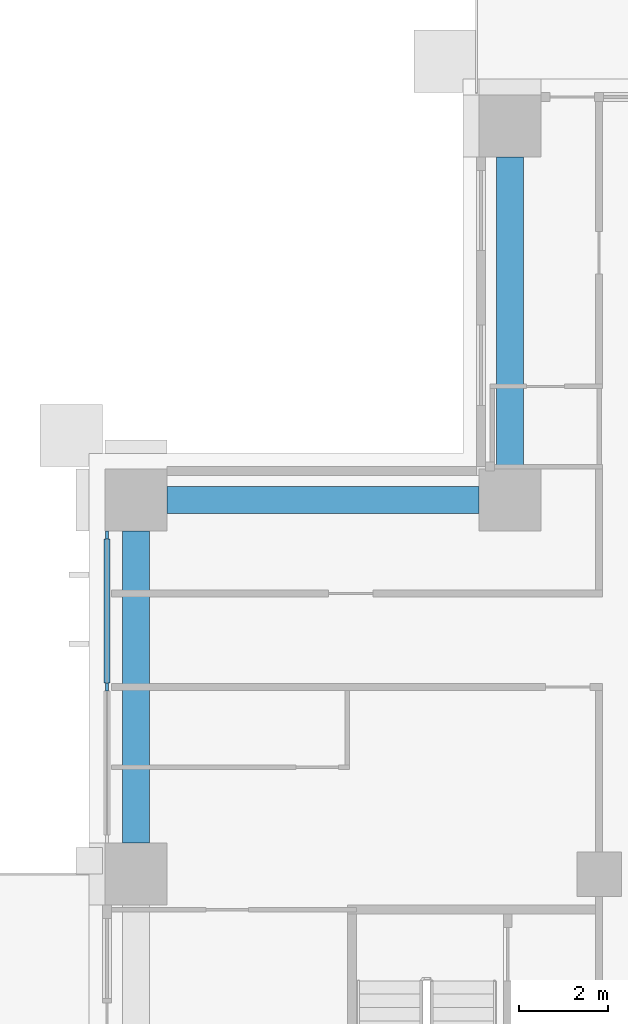
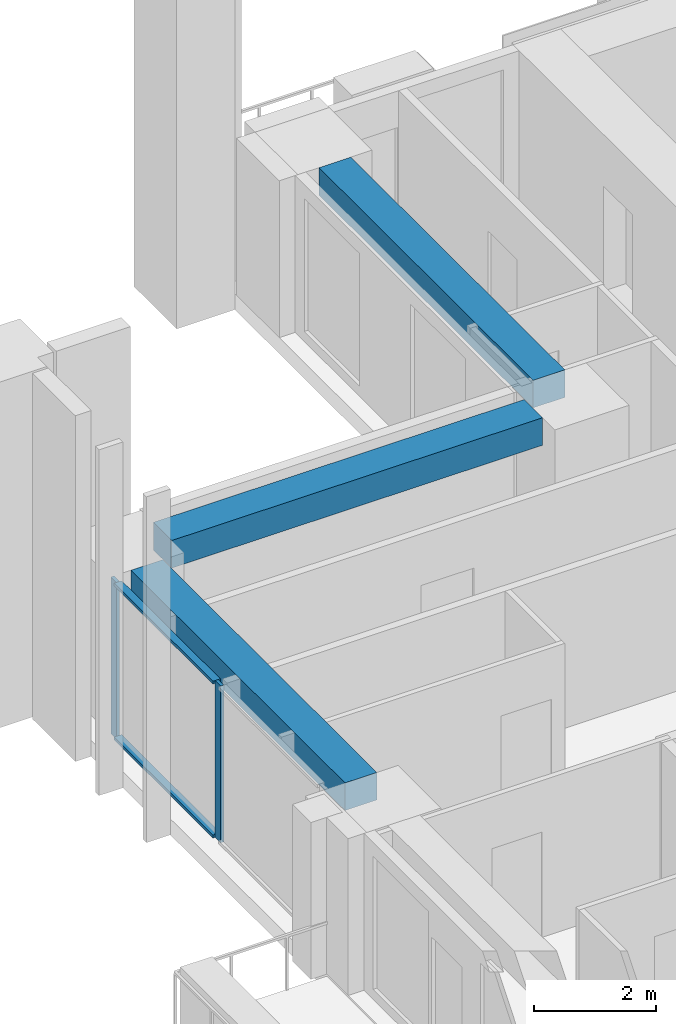
# One storey, part 5 of 19: 4 members, 3 beams, 1 element without a shape of its own.
"""IFC4 building model written with IfcOpenShell, lengths in metres."""

import ifcopenshell
import ifcopenshell.guid

model = None  # the IFC model being written
_history = None  # IfcOwnerHistory: only IFC2X3 demands one
_inside = {}  # id of a spatial element -> (the spatial element, [elements in it])
_under = {}  # id of a project, library or spatial element -> (it, [spatial elements below it])
_declared = {}  # id of a project -> (the project, [libraries it declares])
_typed = {}  # id of a type object -> (the type object, [elements of that type])
_made_of = {}  # id of a material, layer set ... -> (it, [elements and type objects made of it])


def new_model(schema):
    """Start an empty IFC model of exactly this schema.

    Asked for "IFC4X3", IfcOpenShell would pick the latest addendum, in which some entities
    have other attributes; the version numbers below select the first issue.
    IFC2X3 requires an IfcOwnerHistory on every rooted entity: one is made here for all.
    """
    global model, _history
    if schema == "IFC4X3":
        model = ifcopenshell.file(schema_version=(4, 3, 0, 0))
    else:
        model = ifcopenshell.file(schema=schema)
    _inside.clear()
    _under.clear()
    _declared.clear()
    _typed.clear()
    _made_of.clear()
    _history = None
    if model.schema == "IFC2X3":
        org = make("IfcOrganization", Name="unknown")
        user = make(
            "IfcPersonAndOrganization",
            ThePerson=make("IfcPerson", FamilyName="unknown"),
            TheOrganization=org,
        )
        app = make(
            "IfcApplication",
            ApplicationDeveloper=org,
            Version="unknown",
            ApplicationFullName="unknown",
            ApplicationIdentifier="unknown",
        )
        _history = make(
            "IfcOwnerHistory",
            OwningUser=user,
            OwningApplication=app,
            ChangeAction="ADDED",
            CreationDate=0,
        )
    return model


def make(cls, **values):
    """One entity of the class cls with the attributes given. An attribute that is None is left unset."""
    return model.create_entity(
        cls, **{name: value for name, value in values.items() if value is not None}
    )


def rooted(cls, **values):
    """An entity with a GlobalId (a new one), such as an element, a storey or a relation."""
    return make(cls, GlobalId=ifcopenshell.guid.new(), OwnerHistory=_history, **values)


def si_unit(unit_type, name, prefix=None):
    """IfcSIUnit, for example si_unit("LENGTHUNIT", "METRE", prefix="MILLI")."""
    return make("IfcSIUnit", UnitType=unit_type, Prefix=prefix, Name=name)


def assignment(units):
    """IfcUnitAssignment: the units of a project."""
    return None if units is None else make("IfcUnitAssignment", Units=units)


def point(xyz):
    """IfcCartesianPoint."""
    return None if xyz is None else make("IfcCartesianPoint", Coordinates=xyz)


def direction(xyz):
    """IfcDirection."""
    return None if xyz is None else make("IfcDirection", DirectionRatios=xyz)


def frame(location, z_axis=None, x_axis=None):
    """IfcAxis2Placement3D, a coordinate frame: its origin and axes. An axis left out is left unset."""
    return make(
        "IfcAxis2Placement3D",
        Location=point(location),
        Axis=direction(z_axis),
        RefDirection=direction(x_axis),
    )


def frame_2d(location, x_axis=None):
    """IfcAxis2Placement2D, a coordinate frame in the plane: its origin and x axis."""
    return make(
        "IfcAxis2Placement2D", Location=point(location), RefDirection=direction(x_axis)
    )


def origin():
    """The frame at (0, 0, 0) with its axes left unset."""
    return frame((0.0, 0.0, 0.0))


def origin_2d():
    """The frame at (0, 0) in the plane with its x axis left unset."""
    return frame_2d((0.0, 0.0))


def place(relative_to, where):
    """IfcLocalPlacement: puts the frame where relative to a parent placement (None: the world)."""
    return make(
        "IfcLocalPlacement", PlacementRelTo=relative_to, RelativePlacement=where
    )


def context(
    kind, dimensions, precision=None, world=None, true_north=None, identifier=None
):
    """IfcGeometricRepresentationContext, for example the 3D "Model" context."""
    return make(
        "IfcGeometricRepresentationContext",
        ContextIdentifier=identifier,
        ContextType=kind,
        CoordinateSpaceDimension=dimensions,
        Precision=precision,
        WorldCoordinateSystem=world,
        TrueNorth=true_north,
    )


def subcontext(parent, identifier, kind, view, scale=None):
    """IfcGeometricRepresentationSubContext, for example "Body" below "Model"."""
    return make(
        "IfcGeometricRepresentationSubContext",
        ContextIdentifier=identifier,
        ContextType=kind,
        ParentContext=parent,
        TargetScale=scale,
        TargetView=view,
    )


def project(units=None, contexts=None):
    """IfcProject with its units and contexts."""
    return rooted(
        "IfcProject",
        Name="project",
        RepresentationContexts=contexts,
        UnitsInContext=assignment(units),
    )


def spatial(cls, under=None, at=None, **own):
    """A site, building, storey or space (cls), placed at a placement, below another one or the project."""
    s = rooted(cls, ObjectPlacement=at, **own)
    if under is not None:
        _under.setdefault(under.id(), (under, []))[1].append(s)
    return s


def profile(cls, at=None, kind="AREA", **sizes):
    """A parametric profile (cls). Its sizes go by their IFC names, for example OverallWidth=200.0."""
    return make(cls, ProfileType=kind, Position=at, **sizes)


def rectangle(**sizes):
    """IfcRectangleProfileDef."""
    return profile("IfcRectangleProfileDef", **sizes)


def extrude(swept, where, along, depth):
    """IfcExtrudedAreaSolid: the profile swept, set in the frame where, extruded along a direction by depth."""
    return make(
        "IfcExtrudedAreaSolid",
        SweptArea=swept,
        Position=where,
        ExtrudedDirection=direction(along),
        Depth=depth,
    )


def shape(context_of_items, identifier, shape_type, items):
    """IfcShapeRepresentation: the items that make up one representation, for example the "Body"."""
    return make(
        "IfcShapeRepresentation",
        ContextOfItems=context_of_items,
        RepresentationIdentifier=identifier,
        RepresentationType=shape_type,
        Items=items,
    )


def material(Name=None, Category=None):
    """IfcMaterial."""
    return make("IfcMaterial", Name=Name, Category=Category)


def material_profile(
    of_material, cross_section, Name=None, Category=None, Priority=None
):
    """IfcMaterialProfile: a cross section and its material."""
    return make(
        "IfcMaterialProfile",
        Name=Name,
        Material=of_material,
        Profile=cross_section,
        Priority=Priority,
        Category=Category,
    )


def profile_set(profiles, Name=None, composite=None):
    """IfcMaterialProfileSet."""
    return make(
        "IfcMaterialProfileSet",
        Name=Name,
        MaterialProfiles=profiles,
        CompositeProfile=composite,
    )


def made_of(thing, what):
    """Note that an element or type object is made of a material, layer set ...; save() writes the relation."""
    if what is not None:
        _made_of.setdefault(what.id(), (what, []))[1].append(thing)
    return thing


def type_object(cls, material=None, **own):
    """A type object (cls), such as IfcWallType, which elements share."""
    return made_of(rooted(cls, **own), material)


def element(
    cls,
    number,
    at=None,
    inside=None,
    cuts=None,
    type_object=None,
    material=None,
    context=None,
    identifier="Body",
    shape_type=None,
    held_by="IfcProductDefinitionShape",
    body=None,
    shapes=None,
    **own,
):
    """One element of the class cls, such as IfcWall. Its Tag is "e" and its number.

    at: its placement. inside: the storey or other place that contains it. cuts: it is an
    opening in that element (IfcRelVoidsElement). A single representation is given by context,
    identifier, shape_type and body (its items); several are given by shapes. held_by: the class
    of the entity that holds the representations. save() writes the other relations.
    """
    e = rooted(cls, Tag="e%d" % number, ObjectPlacement=at, **own)
    if body is not None:
        shapes = [shape(context, identifier, shape_type, body)]
    if shapes is not None:
        e.Representation = make(held_by, Representations=shapes)
    if inside is not None:
        _inside.setdefault(inside.id(), (inside, []))[1].append(e)
    if cuts is not None:
        rooted(
            "IfcRelVoidsElement", RelatingBuildingElement=cuts, RelatedOpeningElement=e
        )
    if type_object is not None:
        _typed.setdefault(type_object.id(), (type_object, []))[1].append(e)
    return made_of(e, material)


def aggregate(whole, parts):
    """IfcRelAggregates: a whole, such as a stair, and the parts it consists of."""
    return rooted("IfcRelAggregates", RelatingObject=whole, RelatedObjects=parts)


def save(model, path):
    """Write the relations noted so far, then the file.

    IfcRelAggregates (storeys below a building ...), IfcRelContainedInSpatialStructure (elements
    in a storey), IfcRelDefinesByType, IfcRelAssociatesMaterial and IfcRelDeclares: one each for
    every whole, place, type object, material and project.
    """
    for whole, parts in _under.values():
        aggregate(whole, parts)
    for where, things in _inside.values():
        rooted(
            "IfcRelContainedInSpatialStructure",
            RelatedElements=things,
            RelatingStructure=where,
        )
    for kind, things in _typed.values():
        rooted("IfcRelDefinesByType", RelatedObjects=things, RelatingType=kind)
    for what, things in _made_of.values():
        rooted("IfcRelAssociatesMaterial", RelatedObjects=things, RelatingMaterial=what)
    for by, libraries in _declared.values():
        rooted("IfcRelDeclares", RelatingContext=by, RelatedDefinitions=libraries)
    model.write(path)


model = new_model("IFC4")

# Units and contexts
model_context = context("Model", 3, precision=1e-05, world=origin(), true_north=direction((0.0, 1.0)))
body_context = subcontext(model_context, "Body", "Model", "MODEL_VIEW")
ifc_project = project(units=[si_unit("LENGTHUNIT", "METRE"), si_unit("AREAUNIT", "SQUARE_METRE"), si_unit("VOLUMEUNIT", "CUBIC_METRE"), si_unit("PLANEANGLEUNIT", "RADIAN"), si_unit("MASSUNIT", "GRAM", prefix="KILO")], contexts=[model_context])

# Site, building, storey
site_placement = place(None, origin())
site = spatial("IfcSite", under=ifc_project, at=site_placement, CompositionType="ELEMENT")
building_placement = place(site_placement, origin())
building = spatial("IfcBuilding", under=site, at=building_placement, Name="Vermilion Ogive Tower", CompositionType="ELEMENT")
storey_placement = place(building_placement, frame((0.0, 0.0, 48.300048828125)))
storey = spatial("IfcBuildingStorey", under=building, at=storey_placement, Name="L10", CompositionType="ELEMENT", Elevation=48.300048828125)

# Curtain wall, members
ifc_material_1 = material(Name="Low-iron laminated glazing in aluminium frame", Category="aluminium")
curtain_wall_type = type_object("IfcCurtainWallType", Name="Curtain wall CW7", PredefinedType="NOTDEFINED", material=ifc_material_1)
curtain_wall_placement = place(storey_placement, origin())
curtain_wall = element("IfcCurtainWall", 1, at=curtain_wall_placement, inside=storey, type_object=curtain_wall_type, Name="Glazed skin W1", PredefinedType="NOTDEFINED")
ifc_material_2 = material(Name="Aluminium mullion", Category="aluminium")
ifc_material_profile_1 = material_profile(ifc_material_2, rectangle(XDim=0.06005859375, YDim=0.179931640625, at=origin_2d()), Name="AL 60x180")
ifc_profile_set_1 = profile_set([ifc_material_profile_1], Name="Aluminium mullion")
member_type_1 = type_object("IfcMemberType", Name="CW7 mullion 60x180", PredefinedType="MULLION", material=ifc_profile_set_1)
member_1_placement = place(storey_placement, frame((-25.85009765625, 11.81005859375, 0.0), z_axis=(0.0, 0.0, 1.0), x_axis=(1.0, 0.0, 0.0)))
member_1 = element("IfcMember", 2, at=member_1_placement, type_object=member_type_1, Name="CW7-W1 mullion 1", PredefinedType="MULLION", context=body_context, shape_type="SweptSolid", body=[
    extrude(rectangle(XDim=0.06005859375, YDim=0.179931640625, at=origin_2d()), origin(), (0.0, 0.0, 1.0), 3.1298828125),
])
member_2_placement = place(storey_placement, frame((-25.85009765625, 8.39990234375, 0.0), z_axis=(0.0, 0.0, 1.0), x_axis=(1.0, 0.0, 0.0)))
member_2 = element("IfcMember", 3, at=member_2_placement, type_object=member_type_1, Name="CW7-W1 mullion 2", PredefinedType="MULLION", context=body_context, shape_type="SweptSolid", body=[
    extrude(rectangle(XDim=0.06005859375, YDim=0.179931640625, at=origin_2d()), origin(), (0.0, 0.0, 1.0), 3.1298828125),
])
ifc_material_3 = material(Name="Aluminium transom", Category="aluminium")
ifc_material_profile_2 = material_profile(ifc_material_3, rectangle(XDim=0.139892578125, YDim=0.06005859375, at=origin_2d()), Name="AL 60x140")
ifc_profile_set_2 = profile_set([ifc_material_profile_2], Name="Aluminium transom")
member_type_2 = type_object("IfcMemberType", Name="CW7 transom 60x140", PredefinedType="USERDEFINED", material=ifc_profile_set_2)
member_3_placement = place(storey_placement, frame((-25.85009765625, 11.719970703125, 0.030029296875), z_axis=(0.0, -1.0, 0.0), x_axis=(1.0, 0.0, 0.0)))
member_3 = element("IfcMember", 4, at=member_3_placement, type_object=member_type_2, Name="CW7-W1 transom 1.1", ObjectType="TRANSOM", PredefinedType="USERDEFINED", context=body_context, shape_type="SweptSolid", body=[
    extrude(rectangle(XDim=0.139892578125, YDim=0.06005859375, at=origin_2d()), origin(), (0.0, 0.0, 1.0), 3.22998046875),
])
member_4_placement = place(storey_placement, frame((-25.85009765625, 11.719970703125, 3.099853515625), z_axis=(0.0, -1.0, 0.0), x_axis=(1.0, 0.0, 0.0)))
member_4 = element("IfcMember", 5, at=member_4_placement, type_object=member_type_2, Name="CW7-W1 transom 1.2", ObjectType="TRANSOM", PredefinedType="USERDEFINED", context=body_context, shape_type="SweptSolid", body=[
    extrude(rectangle(XDim=0.139892578125, YDim=0.06005859375, at=origin_2d()), origin(), (0.0, 0.0, 1.0), 3.22998046875),
])
aggregate(curtain_wall, [member_1, member_2, member_3, member_4])

# Beams
ifc_material_4 = material(Name="Concrete B45", Category="concrete")
ifc_material_profile_3 = material_profile(ifc_material_4, rectangle(XDim=0.60009765625, YDim=0.550048828125, at=origin_2d()), Name="600 x 550")
ifc_profile_set_3 = profile_set([ifc_material_profile_3], Name="Concrete B45")
beam_type = type_object("IfcBeamType", Name="Edge beam 600 x 550 B45", PredefinedType="BEAM", material=ifc_profile_set_3)
for number, where, z_axis, x_axis, name in (
    (6, (-16.800048828125, 20.300048828125, 2.85498046875), (0.0, -1.0, 0.0), (1.0, 0.0, 0.0), "L10-EB-12"),
    (7, (-17.5, 12.60009765625, 2.85498046875), (-1.0, 0.0, 0.0), (0.0, -1.0, 0.0), "L10-EB-13"),
    (8, (-25.199951171875, 11.89990234375, 2.85498046875), (0.0, -1.0, 0.0), (1.0, 0.0, 0.0), "L10-EB-14"),
):
    element("IfcBeam", number, at=place(storey_placement, frame(where, z_axis=z_axis, x_axis=x_axis)), inside=storey, type_object=beam_type, Name=name, PredefinedType="BEAM", context=body_context, shape_type="SweptSolid", body=[
        extrude(rectangle(XDim=0.60009765625, YDim=0.550048828125, at=origin_2d()), origin(), (0.0, 0.0, 1.0), 7.0),
    ])

save(model, "model.ifc")
